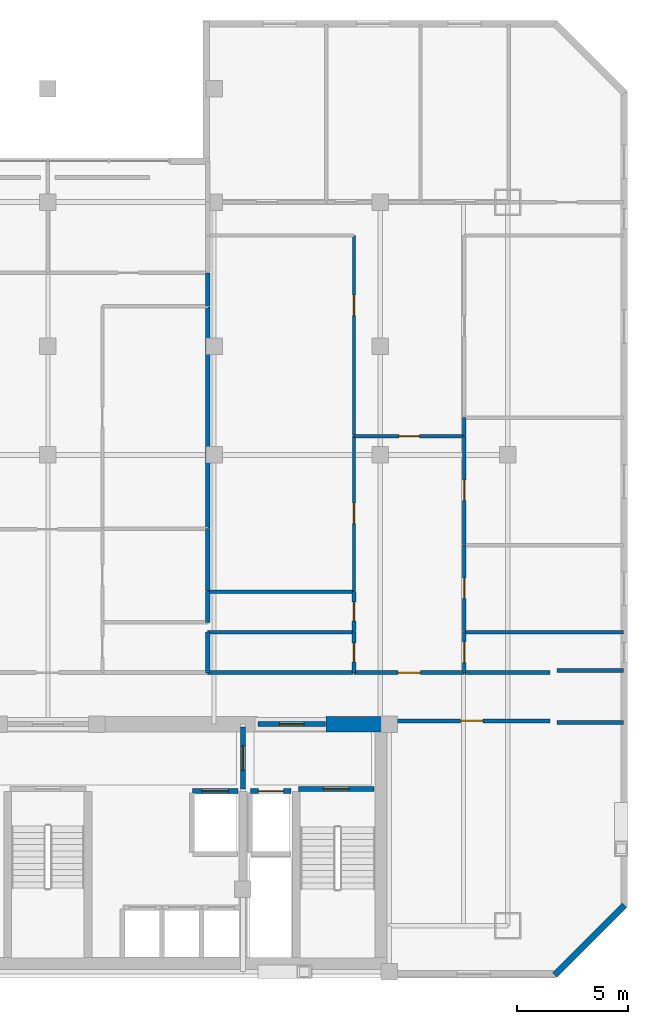
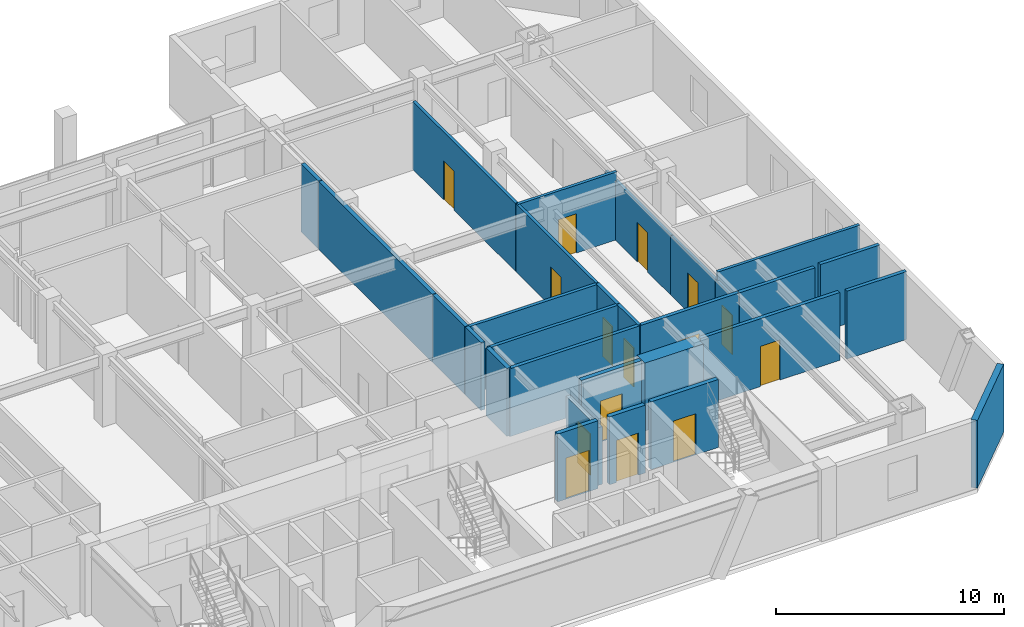
# One storey, part 6 of 9: 30 walls, 15 doors, 15 openings.
"""IFC4 building model written with IfcOpenShell, lengths in metres."""

from ifc_helpers import new_model, si_unit, direction, frame, frame_2d, origin, place, context, subcontext, project, spatial, rectangle, extrude, material, layer, layer_set, type_object, element, fill, save


model = new_model("IFC4")

# Units and contexts
model_context = context("Model", 3, precision=1e-05, world=origin(), true_north=direction((0.0, 1.0)))
body_context = subcontext(model_context, "Body", "Model", "MODEL_VIEW")
ifc_project = project(units=[si_unit("LENGTHUNIT", "METRE"), si_unit("AREAUNIT", "SQUARE_METRE"), si_unit("VOLUMEUNIT", "CUBIC_METRE"), si_unit("PLANEANGLEUNIT", "RADIAN"), si_unit("MASSUNIT", "GRAM", prefix="KILO")], contexts=[model_context])

# Site, building, storey
site_placement = place(None, origin())
site = spatial("IfcSite", under=ifc_project, at=site_placement, CompositionType="ELEMENT")
building_placement = place(site_placement, origin())
building = spatial("IfcBuilding", under=site, at=building_placement, Name="Ventersveld Concourse Tower", CompositionType="ELEMENT")
storey_placement = place(building_placement, frame((0.0, 0.0, 145.199951171875)))
storey = spatial("IfcBuildingStorey", under=building, at=storey_placement, Name="L35", CompositionType="ELEMENT", Elevation=145.199951171875)

# Wall
ifc_material_1 = material(Name="Concrete C60/75", Category="concrete")
ifc_layer_1 = layer(ifc_material_1, 0.699951171875)
ifc_layer_set_1 = layer_set([ifc_layer_1], Name="Concrete C60/75")
wall_type_1 = type_object("IfcWallType", Name="WL-CORE-700", PredefinedType="SHEAR", material=ifc_layer_set_1)
wall_1_placement = place(storey_placement, frame((41.300048828125, 11.449951171875, 0.0), z_axis=(0.0, 0.0, 1.0), x_axis=(1.0, 0.0, 0.0)))
element("IfcWall", 1, at=wall_1_placement, inside=storey, type_object=wall_type_1, Name="L35 Rear Core North Shear Wall NE", PredefinedType="SHEAR", context=body_context, shape_type="SweptSolid", body=[
    extrude(rectangle(XDim=2.949951171875, YDim=0.699951171875, at=frame_2d((1.47509765625, 0.0))), origin(), (0.0, 0.0, 1.0), 3.630126953125),
])

# Wall, opening, door
ifc_material_2 = material(Name="Fire-rated autoclaved aerated masonry blockwork", Category="masonry")
ifc_layer_2 = layer(ifc_material_2, 0.179931640625)
ifc_layer_set_2 = layer_set([ifc_layer_2], Name="Fire-rated autoclaved aerated masonry blockwork")
wall_type_2 = type_object("IfcWallType", Name="WL-CORR-180", PredefinedType="PARTITIONING", material=ifc_layer_set_2)
wall_2_placement = place(storey_placement, frame((44.35498046875, 11.60009765625, 0.0), z_axis=(0.0, 0.0, 1.0), x_axis=(1.0, 0.0, 0.0)))
wall_2 = element("IfcWall", 2, at=wall_2_placement, inside=storey, type_object=wall_type_2, Name="L35 Interior Partition SP-L35-SE-OFF-SP-L35-COR", PredefinedType="PARTITIONING", context=body_context, shape_type="SweptSolid", body=[
    extrude(rectangle(XDim=7.0400390625, YDim=0.179931640625, at=frame_2d((3.52001953125, 0.0))), origin(), (0.0, 0.0, 1.0), 3.630126953125),
])
opening_1_placement = place(wall_2_placement, frame((3.02001953125, 0.0, 0.0)))
opening_1 = element("IfcOpeningElement", 3, at=opening_1_placement, cuts=wall_2, Name="Opening FD3", PredefinedType="OPENING", context=body_context, shape_type="SweptSolid", body=[
    extrude(rectangle(XDim=1.0, YDim=2.14990234375, at=frame_2d((0.5, 1.074951171875))), frame((0.0, 0.10009765625, 0.0), z_axis=(0.0, -1.0, 0.0), x_axis=(1.0, 0.0, 0.0)), (0.0, 0.0, 1.0), 0.199951171875),
])
ifc_material_3 = material(Name="Solid-core hardwood veneer timber", Category="wood")
door_type_1 = type_object("IfcDoorType", Name="DR-FLAT-100", OperationType="NOTDEFINED", PredefinedType="DOOR", material=ifc_material_3)
door_1_placement = place(opening_1_placement, origin())
door_1 = element("IfcDoor", 4, at=door_1_placement, inside=storey, type_object=door_type_1, Name="L35 Interior Door SP-L35-SE-OFF to SP-L35-COR (D-L35-1709)", OperationType="SINGLE_SWING_LEFT", OverallHeight=2.14990234375, OverallWidth=1.0, PredefinedType="DOOR", context=body_context, shape_type="SweptSolid", body=[
    extrude(rectangle(XDim=1.0, YDim=2.14990234375, at=frame_2d((0.5, 1.074951171875))), frame((0.0, 0.02490234375, 0.0), z_axis=(0.0, -1.0, 0.0), x_axis=(1.0, 0.0, 0.0)), (0.0, 0.0, 1.0), 0.050048828125),
])
fill(opening_1, door_1)

wall_3_placement = place(storey_placement, frame((42.557373046875, 13.77001953125, 0.0), z_axis=(0.0, 0.0, 1.0), x_axis=(1.0, 0.0, 0.0)))
wall_3 = element("IfcWall", 5, at=wall_3_placement, inside=storey, type_object=wall_type_2, Name="L35 Interior Partition SP-L35-COR-SP-L35-35CE-FOY", PredefinedType="PARTITIONING", context=body_context, shape_type="SweptSolid", body=[
    extrude(rectangle(XDim=4.989990234375, YDim=0.179931640625, at=frame_2d((2.4951171875, 0.0))), origin(), (0.0, 0.0, 1.0), 3.630126953125),
])
opening_2_placement = place(wall_3_placement, frame((1.9951171875, 0.0, 0.0)))
opening_2 = element("IfcOpeningElement", 6, at=opening_2_placement, cuts=wall_3, Name="Opening FD3", PredefinedType="OPENING", context=body_context, shape_type="SweptSolid", body=[
    extrude(rectangle(XDim=1.0, YDim=2.14990234375, at=frame_2d((0.5, 1.074951171875))), frame((0.0, 0.10009765625, 0.0), z_axis=(0.0, -1.0, 0.0), x_axis=(1.0, 0.0, 0.0)), (0.0, 0.0, 1.0), 0.199951171875),
])
door_2_placement = place(opening_2_placement, origin())
door_2 = element("IfcDoor", 7, at=door_2_placement, inside=storey, type_object=door_type_1, Name="L35 Interior Door SP-L35-COR to SP-L35-35CE-FOY (FD-L35-1711)", OperationType="SINGLE_SWING_LEFT", OverallHeight=2.14990234375, OverallWidth=1.0, PredefinedType="DOOR", context=body_context, shape_type="SweptSolid", body=[
    extrude(rectangle(XDim=1.0, YDim=2.14990234375, at=frame_2d((0.5, 1.074951171875))), frame((0.0, 0.02490234375, 0.0), z_axis=(0.0, -1.0, 0.0), x_axis=(1.0, 0.0, 0.0)), (0.0, 0.0, 1.0), 0.050048828125),
])
fill(opening_2, door_2)

# Walls
wall_4_placement = place(storey_placement, frame((35.955078125, 13.77001953125, 0.0), z_axis=(0.0, 0.0, 1.0), x_axis=(1.0, 0.0, 0.0)))
element("IfcWall", 8, at=wall_4_placement, inside=storey, type_object=wall_type_2, Name="L35 Interior Partition SP-L35-COR-SP-L35-35CE-BATH", PredefinedType="PARTITIONING", context=body_context, shape_type="SweptSolid", body=[
    extrude(rectangle(XDim=6.572265625, YDim=0.179931640625, at=frame_2d((3.2861328125, 0.0))), origin(), (0.0, 0.0, 1.0), 3.630126953125),
])
wall_5_placement = place(storey_placement, frame((47.577392578125, 13.77001953125, 0.0), z_axis=(0.0, 0.0, 1.0), x_axis=(1.0, 0.0, 0.0)))
element("IfcWall", 9, at=wall_5_placement, inside=storey, type_object=wall_type_2, Name="L35 Interior Partition SP-L35-COR-SP-L35-35CE-KIT", PredefinedType="PARTITIONING", context=body_context, shape_type="SweptSolid", body=[
    extrude(rectangle(XDim=3.817626953125, YDim=0.179931640625, at=frame_2d((1.90869140625, 0.0))), origin(), (0.0, 0.0, 1.0), 3.630126953125),
])
wall_6_placement = place(storey_placement, frame((51.712158203125, 11.52001953125, 0.0), z_axis=(0.0, 0.0, 1.0), x_axis=(1.0, 0.0, 0.0)))
element("IfcWall", 10, at=wall_6_placement, inside=storey, type_object=wall_type_2, Name="L35 Room Enclosure Wall SP-L35-SE-OFF", PredefinedType="PARTITIONING", context=body_context, shape_type="SweptSolid", body=[
    extrude(rectangle(XDim=3.015380859375, YDim=0.179931640625, at=frame_2d((1.5078125, 0.0))), origin(), (0.0, 0.0, 1.0), 3.630126953125),
])
wall_7_placement = place(storey_placement, frame((54.7275390625, 13.860107421875, 0.0), z_axis=(0.0, 0.0, 1.0), x_axis=(-1.0, 0.0, 0.0)))
element("IfcWall", 11, at=wall_7_placement, inside=storey, type_object=wall_type_2, Name="L35 Room Enclosure Wall SP-L35-35CE-KIT", PredefinedType="PARTITIONING", context=body_context, shape_type="SweptSolid", body=[
    extrude(rectangle(XDim=3.017578125, YDim=0.179931640625, at=frame_2d((1.5087890625, 0.0))), origin(), (0.0, 0.0, 1.0), 3.630126953125),
])
ifc_layer_3 = layer(ifc_material_2, 0.199951171875)
ifc_layer_set_3 = layer_set([ifc_layer_3], Name="Fire-rated autoclaved aerated masonry blockwork")
wall_type_3 = type_object("IfcWallType", Name="WL-DEMISE-200", PredefinedType="PARTITIONING", material=ifc_layer_set_3)
wall_8_placement = place(storey_placement, frame((35.9599609375, 13.764892578125, 0.0), z_axis=(0.0, 0.0, 1.0), x_axis=(0.0, 1.0, 0.0)))
element("IfcWall", 12, at=wall_8_placement, inside=storey, type_object=wall_type_3, Name="L35 Interior Partition SP-L35-35CE-BATH-SP-L35-35CM-KIT", PredefinedType="PARTITIONING", context=body_context, shape_type="SweptSolid", body=[
    extrude(rectangle(XDim=1.840087890625, YDim=0.199951171875, at=frame_2d((0.919921875, 0.0))), origin(), (0.0, 0.0, 1.0), 3.630126953125),
])
wall_9_placement = place(storey_placement, frame((35.9599609375, 16.0458984375, 0.0), z_axis=(0.0, 0.0, 1.0), x_axis=(0.0, 1.0, 0.0)))
element("IfcWall", 13, at=wall_9_placement, inside=storey, type_object=wall_type_3, Name="L35 Interior Partition SP-L35-35CE-PWDL2-SP-L35-35CM-SEMR1", PredefinedType="PARTITIONING", context=body_context, shape_type="SweptSolid", body=[
    extrude(rectangle(XDim=1.38916015625, YDim=0.199951171875, at=frame_2d((0.694580078125, 0.0))), origin(), (0.0, 0.0, 1.0), 3.630126953125),
])
wall_10_placement = place(storey_placement, frame((35.9599609375, 30.304931640625, 0.0), z_axis=(0.0, 0.0, 1.0), x_axis=(0.0, 1.0, 0.0)))
element("IfcWall", 14, at=wall_10_placement, inside=storey, type_object=wall_type_3, Name="L35 Interior Partition SP-L35-35CE-OFFL0-SP-L35-35CM-LIV", PredefinedType="PARTITIONING", context=body_context, shape_type="SweptSolid", body=[
    extrude(rectangle(XDim=1.510009765625, YDim=0.199951171875, at=frame_2d((0.7548828125, 0.0))), origin(), (0.0, 0.0, 1.0), 3.630126953125),
])
wall_11_placement = place(storey_placement, frame((35.9599609375, 17.465087890625, 0.0), z_axis=(0.0, 0.0, 1.0), x_axis=(0.0, 1.0, 0.0)))
element("IfcWall", 15, at=wall_11_placement, inside=storey, type_object=wall_type_3, Name="L35 Interior Partition SP-L35-35CE-OFFL0-SP-L35-35CM-SEMR1", PredefinedType="PARTITIONING", context=body_context, shape_type="SweptSolid", body=[
    extrude(rectangle(XDim=2.8125, YDim=0.199951171875, at=frame_2d((1.40625, 0.0))), origin(), (0.0, 0.0, 1.0), 3.630126953125),
])
wall_12_placement = place(storey_placement, frame((35.9599609375, 20.3076171875, 0.0), z_axis=(0.0, 0.0, 1.0), x_axis=(0.0, 1.0, 0.0)))
element("IfcWall", 16, at=wall_12_placement, inside=storey, type_object=wall_type_3, Name="L35 Interior Partition SP-L35-35CE-OFFL0-SP-L35-35CM-DENS", PredefinedType="PARTITIONING", context=body_context, shape_type="SweptSolid", body=[
    extrude(rectangle(XDim=9.96728515625, YDim=0.199951171875, at=frame_2d((4.983642578125, 0.0))), origin(), (0.0, 0.0, 1.0), 3.630126953125),
])

# Wall, opening, door
ifc_layer_4 = layer(ifc_material_2, 0.219970703125)
ifc_layer_set_4 = layer_set([ifc_layer_4], Name="Fire-rated autoclaved aerated masonry blockwork")
wall_type_4 = type_object("IfcWallType", Name="WL-HOIST-220", PredefinedType="SOLIDWALL", material=ifc_layer_set_4)
wall_13_placement = place(storey_placement, frame((37.89990234375, 8.429931640625, 0.0), z_axis=(0.0, 0.0, 1.0), x_axis=(1.0, 0.0, 0.0)))
wall_13 = element("IfcWall", 17, at=wall_13_placement, inside=storey, type_object=wall_type_4, Name="L35 Lift Hoistway Front Wall FFL-02", PredefinedType="SOLIDWALL", context=body_context, shape_type="SweptSolid", body=[
    extrude(rectangle(XDim=1.820068359375, YDim=0.219970703125, at=frame_2d((0.91015625, 0.0))), origin(), (0.0, 0.0, 1.0), 3.630126953125),
])
opening_3_placement = place(wall_13_placement, frame((0.35009765625, 0.0, 0.0)))
opening_3 = element("IfcOpeningElement", 18, at=opening_3_placement, cuts=wall_13, Name="Opening LD1", PredefinedType="OPENING", context=body_context, shape_type="SweptSolid", body=[
    extrude(rectangle(XDim=1.1201171875, YDim=2.25, at=frame_2d((0.56005859375, 1.125))), frame((0.0, 0.1201171875, 0.0), z_axis=(0.0, -1.0, 0.0), x_axis=(1.0, 0.0, 0.0)), (0.0, 0.0, 1.0), 0.239990234375),
])
ifc_material_4 = material(Name="Brushed stainless steel 316", Category="steel")
door_type_2 = type_object("IfcDoorType", Name="LD-FF-112", OperationType="SLIDING_TO_LEFT", PredefinedType="DOOR", material=ifc_material_4)
door_3_placement = place(opening_3_placement, origin())
door_3 = element("IfcDoor", 19, at=door_3_placement, inside=storey, type_object=door_type_2, Name="L35 Lift landing door FFL-02 (LD-L35-FFL-02)", OperationType="SLIDING_TO_RIGHT", OverallHeight=2.25, OverallWidth=1.1201171875, PredefinedType="DOOR", context=body_context, shape_type="SweptSolid", body=[
    extrude(rectangle(XDim=1.1201171875, YDim=2.25, at=frame_2d((0.56005859375, 1.125))), frame((0.0, 0.02490234375, 0.0), z_axis=(0.0, -1.0, 0.0), x_axis=(1.0, 0.0, 0.0)), (0.0, 0.0, 1.0), 0.050048828125),
])
fill(opening_3, door_3)

wall_14_placement = place(storey_placement, frame((35.280029296875, 8.429931640625, 0.0), z_axis=(0.0, 0.0, 1.0), x_axis=(1.0, 0.0, 0.0)))
wall_14 = element("IfcWall", 20, at=wall_14_placement, inside=storey, type_object=wall_type_4, Name="L35 Lift Hoistway Front Wall SVL-01", PredefinedType="SOLIDWALL", context=body_context, shape_type="SweptSolid", body=[
    extrude(rectangle(XDim=2.0400390625, YDim=0.219970703125, at=frame_2d((1.02001953125, 0.0))), origin(), (0.0, 0.0, 1.0), 3.630126953125),
])
opening_4_placement = place(wall_14_placement, frame((0.429931640625, 0.0, 0.0)))
opening_4 = element("IfcOpeningElement", 21, at=opening_4_placement, cuts=wall_14, Name="Opening LD2", PredefinedType="OPENING", context=body_context, shape_type="SweptSolid", body=[
    extrude(rectangle(XDim=1.179931640625, YDim=2.199951171875, at=frame_2d((0.58984375, 1.10009765625))), frame((0.0, 0.1201171875, 0.0), z_axis=(0.0, -1.0, 0.0), x_axis=(1.0, 0.0, 0.0)), (0.0, 0.0, 1.0), 0.239990234375),
])
door_type_3 = type_object("IfcDoorType", Name="LD-PAX-118", OperationType="SLIDING_TO_LEFT", PredefinedType="DOOR", material=ifc_material_4)
door_4_placement = place(opening_4_placement, origin())
door_4 = element("IfcDoor", 22, at=door_4_placement, inside=storey, type_object=door_type_3, Name="L35 Lift landing door SVL-01 (LD-L35-SVL-01)", OperationType="SLIDING_TO_LEFT", OverallHeight=2.199951171875, OverallWidth=1.179931640625, PredefinedType="DOOR", context=body_context, shape_type="SweptSolid", body=[
    extrude(rectangle(XDim=1.179931640625, YDim=2.199951171875, at=frame_2d((0.58984375, 1.10009765625))), frame((0.0, 0.02490234375, 0.0), z_axis=(0.0, -1.0, 0.0), x_axis=(1.0, 0.0, 0.0)), (0.0, 0.0, 1.0), 0.050048828125),
])
fill(opening_4, door_4)

wall_15_placement = place(storey_placement, frame((40.06005859375, 8.52001953125, 0.0), z_axis=(0.0, 0.0, 1.0), x_axis=(1.0, 0.0, 0.0)))
wall_15 = element("IfcWall", 23, at=wall_15_placement, inside=storey, type_object=wall_type_4, Name="L35 Escape Stair ST02 Fire Wall", PredefinedType="SOLIDWALL", context=body_context, shape_type="SweptSolid", body=[
    extrude(rectangle(XDim=3.39990234375, YDim=0.219970703125, at=frame_2d((1.699951171875, 0.0))), origin(), (0.0, 0.0, 1.0), 3.630126953125),
])
opening_5_placement = place(wall_15_placement, frame((1.125, 0.0, 0.0)))
opening_5 = element("IfcOpeningElement", 24, at=opening_5_placement, cuts=wall_15, Name="Opening FD1", PredefinedType="OPENING", context=body_context, shape_type="SweptSolid", body=[
    extrude(rectangle(XDim=1.14990234375, YDim=2.199951171875, at=frame_2d((0.574951171875, 1.10009765625))), frame((0.0, 0.1201171875, 0.0), z_axis=(0.0, -1.0, 0.0), x_axis=(1.0, 0.0, 0.0)), (0.0, 0.0, 1.0), 0.239990234375),
])
ifc_material_5 = material(Name="Galvanised painted steel", Category="steel")
door_type_4 = type_object("IfcDoorType", Name="DR-STAIR-115", OperationType="NOTDEFINED", PredefinedType="DOOR", material=ifc_material_5)
door_5_placement = place(opening_5_placement, origin())
door_5 = element("IfcDoor", 25, at=door_5_placement, inside=storey, type_object=door_type_4, Name="L35 Escape Stair Door ST02 (SD-L35-1700)", OperationType="SINGLE_SWING_RIGHT", OverallHeight=2.199951171875, OverallWidth=1.14990234375, PredefinedType="DOOR", context=body_context, shape_type="SweptSolid", body=[
    extrude(rectangle(XDim=1.14990234375, YDim=2.199951171875, at=frame_2d((0.574951171875, 1.10009765625))), frame((0.0, 0.02490234375, 0.0), z_axis=(0.0, -1.0, 0.0), x_axis=(1.0, 0.0, 0.0)), (0.0, 0.0, 1.0), 0.050048828125),
])
fill(opening_5, door_5)

wall_16_placement = place(storey_placement, frame((37.550048828125, 8.52001953125, 0.0), z_axis=(0.0, 0.0, 1.0), x_axis=(0.0, 1.0, 0.0)))
wall_16 = element("IfcWall", 26, at=wall_16_placement, inside=storey, type_object=wall_type_4, Name="L35 Firefighting Lobby Smoke-Stop Wall FFLE-SEP", PredefinedType="SOLIDWALL", context=body_context, shape_type="SweptSolid", body=[
    extrude(rectangle(XDim=2.800048828125, YDim=0.219970703125, at=frame_2d((1.39990234375, 0.0))), origin(), (0.0, 0.0, 1.0), 3.08544921875),
])
opening_6_placement = place(wall_16_placement, frame((0.85009765625, 0.0, 0.0)))
opening_6 = element("IfcOpeningElement", 27, at=opening_6_placement, cuts=wall_16, Name="Opening FD2", PredefinedType="OPENING", context=body_context, shape_type="SweptSolid", body=[
    extrude(rectangle(XDim=1.10009765625, YDim=2.199951171875, at=frame_2d((0.550048828125, 1.10009765625))), frame((0.0, 0.1201171875, 0.0), z_axis=(0.0, -1.0, 0.0), x_axis=(1.0, 0.0, 0.0)), (0.0, 0.0, 1.0), 0.239990234375),
])
door_type_5 = type_object("IfcDoorType", Name="DR-FFL-110", OperationType="NOTDEFINED", PredefinedType="DOOR", material=ifc_material_5)
door_6_placement = place(opening_6_placement, origin())
door_6 = element("IfcDoor", 28, at=door_6_placement, inside=storey, type_object=door_type_5, Name="L35 Firefighting Lobby Door FFLE-SEP (FD-L35-1703)", OperationType="SINGLE_SWING_RIGHT", OverallHeight=2.199951171875, OverallWidth=1.10009765625, PredefinedType="DOOR", context=body_context, shape_type="SweptSolid", body=[
    extrude(rectangle(XDim=1.10009765625, YDim=2.199951171875, at=frame_2d((0.550048828125, 1.10009765625))), frame((0.0, 0.02490234375, 0.0), z_axis=(0.0, -1.0, 0.0), x_axis=(1.0, 0.0, 0.0)), (0.0, 0.0, 1.0), 0.050048828125),
])
fill(opening_6, door_6)

wall_17_placement = place(storey_placement, frame((38.22998046875, 11.449951171875, 0.0), z_axis=(0.0, 0.0, 1.0), x_axis=(1.0, 0.0, 0.0)))
wall_17 = element("IfcWall", 29, at=wall_17_placement, inside=storey, type_object=wall_type_4, Name="L35 Core North Fire Portal FFLE-OUT", PredefinedType="SOLIDWALL", context=body_context, shape_type="SweptSolid", body=[
    extrude(rectangle(XDim=3.0400390625, YDim=0.219970703125, at=frame_2d((1.52001953125, 0.0))), origin(), (0.0, 0.0, 1.0), 3.630126953125),
])
opening_7_placement = place(wall_17_placement, frame((0.969970703125, 0.0, 0.0)))
opening_7 = element("IfcOpeningElement", 30, at=opening_7_placement, cuts=wall_17, Name="Opening FD2", PredefinedType="OPENING", context=body_context, shape_type="SweptSolid", body=[
    extrude(rectangle(XDim=1.10009765625, YDim=2.199951171875, at=frame_2d((0.550048828125, 1.10009765625))), frame((0.0, 0.1201171875, 0.0), z_axis=(0.0, -1.0, 0.0), x_axis=(1.0, 0.0, 0.0)), (0.0, 0.0, 1.0), 0.239990234375),
])
door_7_placement = place(opening_7_placement, origin())
door_7 = element("IfcDoor", 31, at=door_7_placement, inside=storey, type_object=door_type_5, Name="L35 Core Lobby Fire Door FFLE-OUT (FD-L35-1706)", OperationType="SINGLE_SWING_LEFT", OverallHeight=2.199951171875, OverallWidth=1.10009765625, PredefinedType="DOOR", context=body_context, shape_type="SweptSolid", body=[
    extrude(rectangle(XDim=1.10009765625, YDim=2.199951171875, at=frame_2d((0.550048828125, 1.10009765625))), frame((0.0, 0.02490234375, 0.0), z_axis=(0.0, -1.0, 0.0), x_axis=(1.0, 0.0, 0.0)), (0.0, 0.0, 1.0), 0.050048828125),
])
fill(opening_7, door_7)

ifc_material_6 = material(Name="Autoclaved aerated masonry blockwork", Category="masonry")
ifc_layer_5 = layer(ifc_material_6, 0.14990234375)
ifc_layer_set_5 = layer_set([ifc_layer_5], Name="Autoclaved aerated masonry blockwork")
wall_type_5 = type_object("IfcWallType", Name="WL-INT-150", PredefinedType="PARTITIONING", material=ifc_layer_set_5)
wall_18_placement = place(storey_placement, frame((42.557373046875, 24.444091796875, 0.0), z_axis=(0.0, 0.0, 1.0), x_axis=(1.0, 0.0, 0.0)))
wall_18 = element("IfcWall", 32, at=wall_18_placement, inside=storey, type_object=wall_type_5, Name="L35 Interior Partition SP-L35-35CE-FOY-SP-L35-35CE-LIV", PredefinedType="PARTITIONING", context=body_context, shape_type="SweptSolid", body=[
    extrude(rectangle(XDim=4.989990234375, YDim=0.14990234375, at=frame_2d((2.4951171875, 0.0))), origin(), (0.0, 0.0, 1.0), 3.630126953125),
])
opening_8_placement = place(wall_18_placement, frame((2.034912109375, 0.0, 0.0)))
opening_8 = element("IfcOpeningElement", 33, at=opening_8_placement, cuts=wall_18, Name="Opening ID1", PredefinedType="OPENING", context=body_context, shape_type="SweptSolid", body=[
    extrude(rectangle(XDim=0.919921875, YDim=2.10009765625, at=frame_2d((0.4599609375, 1.050048828125))), frame((0.0, 0.0849609375, 0.0), z_axis=(0.0, -1.0, 0.0), x_axis=(1.0, 0.0, 0.0)), (0.0, 0.0, 1.0), 0.169921875),
])
door_type_6 = type_object("IfcDoorType", Name="DR-ROOM-092", OperationType="NOTDEFINED", PredefinedType="DOOR", material=ifc_material_3)
door_8_placement = place(opening_8_placement, origin())
door_8 = element("IfcDoor", 34, at=door_8_placement, inside=storey, type_object=door_type_6, Name="L35 Interior Door SP-L35-35CE-FOY to SP-L35-35CE-LIV (D-L35-1724)", OperationType="SINGLE_SWING_RIGHT", OverallHeight=2.10009765625, OverallWidth=0.919921875, PredefinedType="DOOR", context=body_context, shape_type="SweptSolid", body=[
    extrude(rectangle(XDim=0.919921875, YDim=2.10009765625, at=frame_2d((0.4599609375, 1.050048828125))), frame((0.0, 0.02490234375, 0.0), z_axis=(0.0, -1.0, 0.0), x_axis=(1.0, 0.0, 0.0)), (0.0, 0.0, 1.0), 0.050048828125),
])
fill(opening_8, door_8)

wall_19_placement = place(storey_placement, frame((42.562255859375, 17.465087890625, 0.0), z_axis=(0.0, 0.0, 1.0), x_axis=(0.0, 1.0, 0.0)))
wall_19 = element("IfcWall", 35, at=wall_19_placement, inside=storey, type_object=wall_type_5, Name="L35 Interior Partition SP-L35-35CE-FOY-SP-L35-35CE-OFFL0", PredefinedType="PARTITIONING", context=body_context, shape_type="SweptSolid", body=[
    extrude(rectangle(XDim=6.984130859375, YDim=0.14990234375, at=frame_2d((3.4921875, 0.0))), origin(), (0.0, 0.0, 1.0), 3.630126953125),
])
opening_9_placement = place(wall_19_placement, frame((3.031982421875, 0.0, 0.0)))
opening_9 = element("IfcOpeningElement", 36, at=opening_9_placement, cuts=wall_19, Name="Opening ID1", PredefinedType="OPENING", context=body_context, shape_type="SweptSolid", body=[
    extrude(rectangle(XDim=0.919921875, YDim=2.10009765625, at=frame_2d((0.4599609375, 1.050048828125))), frame((0.0, 0.0849609375, 0.0), z_axis=(0.0, -1.0, 0.0), x_axis=(1.0, 0.0, 0.0)), (0.0, 0.0, 1.0), 0.169921875),
])
door_9_placement = place(opening_9_placement, origin())
door_9 = element("IfcDoor", 37, at=door_9_placement, inside=storey, type_object=door_type_6, Name="L35 Interior Door SP-L35-35CE-FOY to SP-L35-35CE-OFFL0 (D-L35-1727)", OperationType="SINGLE_SWING_LEFT", OverallHeight=2.10009765625, OverallWidth=0.919921875, PredefinedType="DOOR", context=body_context, shape_type="SweptSolid", body=[
    extrude(rectangle(XDim=0.919921875, YDim=2.10009765625, at=frame_2d((0.4599609375, 1.050048828125))), frame((0.0, 0.02490234375, 0.0), z_axis=(0.0, -1.0, 0.0), x_axis=(1.0, 0.0, 0.0)), (0.0, 0.0, 1.0), 0.050048828125),
])
fill(opening_9, door_9)

wall_20_placement = place(storey_placement, frame((47.542236328125, 13.764892578125, 0.0), z_axis=(0.0, 0.0, 1.0), x_axis=(0.0, 1.0, 0.0)))
wall_20 = element("IfcWall", 38, at=wall_20_placement, inside=storey, type_object=wall_type_5, Name="L35 Interior Partition SP-L35-35CE-FOY-SP-L35-35CE-KIT", PredefinedType="PARTITIONING", context=body_context, shape_type="SweptSolid", body=[
    extrude(rectangle(XDim=1.840087890625, YDim=0.14990234375, at=frame_2d((0.919921875, 0.0))), origin(), (0.0, 0.0, 1.0), 3.1767578125),
])
opening_10_placement = place(wall_20_placement, frame((0.4599609375, 0.0, 0.0)))
opening_10 = element("IfcOpeningElement", 39, at=opening_10_placement, cuts=wall_20, Name="Opening ID1", PredefinedType="OPENING", context=body_context, shape_type="SweptSolid", body=[
    extrude(rectangle(XDim=0.919921875, YDim=2.10009765625, at=frame_2d((0.4599609375, 1.050048828125))), frame((0.0, 0.0849609375, 0.0), z_axis=(0.0, -1.0, 0.0), x_axis=(1.0, 0.0, 0.0)), (0.0, 0.0, 1.0), 0.169921875),
])
door_10_placement = place(opening_10_placement, origin())
door_10 = element("IfcDoor", 40, at=door_10_placement, inside=storey, type_object=door_type_6, Name="L35 Interior Door SP-L35-35CE-FOY to SP-L35-35CE-KIT (D-L35-1728)", OperationType="SINGLE_SWING_RIGHT", OverallHeight=2.10009765625, OverallWidth=0.919921875, PredefinedType="DOOR", context=body_context, shape_type="SweptSolid", body=[
    extrude(rectangle(XDim=0.919921875, YDim=2.10009765625, at=frame_2d((0.4599609375, 1.050048828125))), frame((0.0, 0.02490234375, 0.0), z_axis=(0.0, -1.0, 0.0), x_axis=(1.0, 0.0, 0.0)), (0.0, 0.0, 1.0), 0.050048828125),
])
fill(opening_10, door_10)

wall_21_placement = place(storey_placement, frame((47.542236328125, 15.635009765625, 0.0), z_axis=(0.0, 0.0, 1.0), x_axis=(0.0, 1.0, 0.0)))
wall_21 = element("IfcWall", 41, at=wall_21_placement, inside=storey, type_object=wall_type_5, Name="L35 Interior Partition SP-L35-35CE-FOY-SP-L35-35CE-SEMR1", PredefinedType="PARTITIONING", context=body_context, shape_type="SweptSolid", body=[
    extrude(rectangle(XDim=3.886474609375, YDim=0.14990234375, at=frame_2d((1.943359375, 0.0))), origin(), (0.0, 0.0, 1.0), 3.1767578125),
])
opening_11_placement = place(wall_21_placement, frame((1.4833984375, 0.0, 0.0)))
opening_11 = element("IfcOpeningElement", 42, at=opening_11_placement, cuts=wall_21, Name="Opening ID1", PredefinedType="OPENING", context=body_context, shape_type="SweptSolid", body=[
    extrude(rectangle(XDim=0.919921875, YDim=2.10009765625, at=frame_2d((0.4599609375, 1.050048828125))), frame((0.0, 0.0849609375, 0.0), z_axis=(0.0, -1.0, 0.0), x_axis=(1.0, 0.0, 0.0)), (0.0, 0.0, 1.0), 0.169921875),
])
door_11_placement = place(opening_11_placement, origin())
door_11 = element("IfcDoor", 43, at=door_11_placement, inside=storey, type_object=door_type_6, Name="L35 Interior Door SP-L35-35CE-FOY to SP-L35-35CE-SEMR1 (D-L35-1729)", OperationType="SINGLE_SWING_LEFT", OverallHeight=2.10009765625, OverallWidth=0.919921875, PredefinedType="DOOR", context=body_context, shape_type="SweptSolid", body=[
    extrude(rectangle(XDim=0.919921875, YDim=2.10009765625, at=frame_2d((0.4599609375, 1.050048828125))), frame((0.0, 0.02490234375, 0.0), z_axis=(0.0, -1.0, 0.0), x_axis=(1.0, 0.0, 0.0)), (0.0, 0.0, 1.0), 0.050048828125),
])
fill(opening_11, door_11)

wall_22_placement = place(storey_placement, frame((47.542236328125, 19.551513671875, 0.0), z_axis=(0.0, 0.0, 1.0), x_axis=(0.0, 1.0, 0.0)))
wall_22 = element("IfcWall", 44, at=wall_22_placement, inside=storey, type_object=wall_type_5, Name="L35 Interior Partition SP-L35-35CE-FOY-SP-L35-35CE-DENS", PredefinedType="PARTITIONING", context=body_context, shape_type="SweptSolid", body=[
    extrude(rectangle(XDim=4.897705078125, YDim=0.14990234375, at=frame_2d((2.44873046875, 0.0))), origin(), (0.0, 0.0, 1.0), 3.1767578125),
])
opening_12_placement = place(wall_22_placement, frame((1.98876953125, 0.0, 0.0)))
opening_12 = element("IfcOpeningElement", 45, at=opening_12_placement, cuts=wall_22, Name="Opening ID1", PredefinedType="OPENING", context=body_context, shape_type="SweptSolid", body=[
    extrude(rectangle(XDim=0.919921875, YDim=2.10009765625, at=frame_2d((0.4599609375, 1.050048828125))), frame((0.0, 0.0849609375, 0.0), z_axis=(0.0, -1.0, 0.0), x_axis=(1.0, 0.0, 0.0)), (0.0, 0.0, 1.0), 0.169921875),
])
door_12_placement = place(opening_12_placement, origin())
door_12 = element("IfcDoor", 46, at=door_12_placement, inside=storey, type_object=door_type_6, Name="L35 Interior Door SP-L35-35CE-FOY to SP-L35-35CE-DENS (D-L35-1730)", OperationType="SINGLE_SWING_RIGHT", OverallHeight=2.10009765625, OverallWidth=0.919921875, PredefinedType="DOOR", context=body_context, shape_type="SweptSolid", body=[
    extrude(rectangle(XDim=0.919921875, YDim=2.10009765625, at=frame_2d((0.4599609375, 1.050048828125))), frame((0.0, 0.02490234375, 0.0), z_axis=(0.0, -1.0, 0.0), x_axis=(1.0, 0.0, 0.0)), (0.0, 0.0, 1.0), 0.050048828125),
])
fill(opening_12, door_12)

wall_23_placement = place(storey_placement, frame((42.562255859375, 24.47900390625, 0.0), z_axis=(0.0, 0.0, 1.0), x_axis=(0.0, 1.0, 0.0)))
wall_23 = element("IfcWall", 47, at=wall_23_placement, inside=storey, type_object=wall_type_5, Name="L35 Interior Partition SP-L35-35CE-LIV-SP-L35-35CE-OFFL0", PredefinedType="PARTITIONING", context=body_context, shape_type="SweptSolid", body=[
    extrude(rectangle(XDim=9.02587890625, YDim=0.14990234375, at=frame_2d((4.512939453125, 0.0))), origin(), (0.0, 0.0, 1.0), 3.630126953125),
])
opening_13_placement = place(wall_23_placement, frame((5.40673828125, 0.0, 0.0)))
opening_13 = element("IfcOpeningElement", 48, at=opening_13_placement, cuts=wall_23, Name="Opening ID1", PredefinedType="OPENING", context=body_context, shape_type="SweptSolid", body=[
    extrude(rectangle(XDim=0.919921875, YDim=2.10009765625, at=frame_2d((0.4599609375, 1.050048828125))), frame((0.0, 0.0849609375, 0.0), z_axis=(0.0, -1.0, 0.0), x_axis=(1.0, 0.0, 0.0)), (0.0, 0.0, 1.0), 0.169921875),
])
door_13_placement = place(opening_13_placement, origin())
door_13 = element("IfcDoor", 49, at=door_13_placement, inside=storey, type_object=door_type_6, Name="L35 Interior Door SP-L35-35CE-LIV to SP-L35-35CE-OFFL0 (D-L35-1731)", OperationType="SINGLE_SWING_LEFT", OverallHeight=2.10009765625, OverallWidth=0.919921875, PredefinedType="DOOR", context=body_context, shape_type="SweptSolid", body=[
    extrude(rectangle(XDim=0.919921875, YDim=2.10009765625, at=frame_2d((0.4599609375, 1.050048828125))), frame((0.0, 0.02490234375, 0.0), z_axis=(0.0, -1.0, 0.0), x_axis=(1.0, 0.0, 0.0)), (0.0, 0.0, 1.0), 0.050048828125),
])
fill(opening_13, door_13)

# Walls
wall_24_placement = place(storey_placement, frame((47.542236328125, 24.47900390625, 0.0), z_axis=(0.0, 0.0, 1.0), x_axis=(0.0, 1.0, 0.0)))
element("IfcWall", 50, at=wall_24_placement, inside=storey, type_object=wall_type_5, Name="L35 Interior Partition SP-L35-35CE-LIV-SP-L35-35CE-DENS", PredefinedType="PARTITIONING", context=body_context, shape_type="SweptSolid", body=[
    extrude(rectangle(XDim=0.798095703125, YDim=0.14990234375, at=frame_2d((0.39892578125, 0.0))), origin(), (0.0, 0.0, 1.0), 3.1767578125),
])
wall_25_placement = place(storey_placement, frame((47.537353515625, 15.60009765625, 0.0), z_axis=(0.0, 0.0, 1.0), x_axis=(1.0, 0.0, 0.0)))
element("IfcWall", 51, at=wall_25_placement, inside=storey, type_object=wall_type_5, Name="L35 Interior Partition SP-L35-35CE-KIT-SP-L35-35CE-SEMR1", PredefinedType="PARTITIONING", context=body_context, shape_type="SweptSolid", body=[
    extrude(rectangle(XDim=7.190185546875, YDim=0.14990234375, at=frame_2d((3.59521484375, 0.0))), origin(), (0.0, 0.0, 1.0), 3.630126953125),
])
ifc_material_7 = material(Name="Precast concrete C45/55", Category="concrete")
ifc_layer_6 = layer(ifc_material_7, 0.300048828125)
ifc_layer_set_6 = layer_set([ifc_layer_6], Name="Precast concrete C45/55")
wall_type_6 = type_object("IfcWallType", Name="WL-PREC-300", PredefinedType="SOLIDWALL", material=ifc_layer_set_6)
wall_26_placement = place(storey_placement, frame((51.622314453125, 0.134521484375, 0.0), z_axis=(0.0, 0.0, 1.0), x_axis=(0.707106781187, 0.707106781187, 0.0)))
element("IfcWall", 52, at=wall_26_placement, inside=storey, type_object=wall_type_6, Name="L35 Highveld Precast Facade Wall E02", PredefinedType="SOLIDWALL", context=body_context, shape_type="SweptSolid", body=[
    extrude(rectangle(XDim=4.4453125, YDim=0.300048828125, at=frame_2d((2.22265625, 0.0))), origin(), (0.0, 0.0, 1.0), 3.630126953125),
])

# Wall, opening, door
ifc_layer_7 = layer(ifc_material_6, 0.1650390625)
ifc_layer_set_7 = layer_set([ifc_layer_7], Name="Autoclaved aerated masonry blockwork")
wall_type_7 = type_object("IfcWallType", Name="WL-WET-165", PredefinedType="PLUMBINGWALL", material=ifc_layer_set_7)
wall_27_placement = place(storey_placement, frame((42.562255859375, 13.764892578125, 0.0), z_axis=(0.0, 0.0, 1.0), x_axis=(0.0, 1.0, 0.0)))
wall_27 = element("IfcWall", 53, at=wall_27_placement, inside=storey, type_object=wall_type_7, Name="L35 Interior Partition SP-L35-35CE-FOY-SP-L35-35CE-BATH", PredefinedType="PLUMBINGWALL", context=body_context, shape_type="SweptSolid", body=[
    extrude(rectangle(XDim=1.840087890625, YDim=0.1650390625, at=frame_2d((0.919921875, 0.0))), origin(), (0.0, 0.0, 1.0), 3.630126953125),
])
opening_14_placement = place(wall_27_placement, frame((0.4951171875, 0.0, 0.0)))
opening_14 = element("IfcOpeningElement", 54, at=opening_14_placement, cuts=wall_27, Name="Opening ID2", PredefinedType="OPENING", context=body_context, shape_type="SweptSolid", body=[
    extrude(rectangle(XDim=0.85009765625, YDim=2.10009765625, at=frame_2d((0.425048828125, 1.050048828125))), frame((0.0, 0.092529296875, 0.0), z_axis=(0.0, -1.0, 0.0), x_axis=(1.0, 0.0, 0.0)), (0.0, 0.0, 1.0), 0.18505859375),
])
door_type_7 = type_object("IfcDoorType", Name="DR-BATH-085", OperationType="NOTDEFINED", PredefinedType="DOOR", material=ifc_material_3)
door_14_placement = place(opening_14_placement, origin())
door_14 = element("IfcDoor", 55, at=door_14_placement, inside=storey, type_object=door_type_7, Name="L35 Interior Door SP-L35-35CE-FOY to SP-L35-35CE-BATH (D-L35-1725)", OperationType="SINGLE_SWING_LEFT", OverallHeight=2.10009765625, OverallWidth=0.85009765625, PredefinedType="DOOR", context=body_context, shape_type="SweptSolid", body=[
    extrude(rectangle(XDim=0.85009765625, YDim=2.10009765625, at=frame_2d((0.425048828125, 1.050048828125))), frame((0.0, 0.02490234375, 0.0), z_axis=(0.0, -1.0, 0.0), x_axis=(1.0, 0.0, 0.0)), (0.0, 0.0, 1.0), 0.050048828125),
])
fill(opening_14, door_14)

wall_28_placement = place(storey_placement, frame((42.562255859375, 15.635009765625, 0.0), z_axis=(0.0, 0.0, 1.0), x_axis=(0.0, 1.0, 0.0)))
wall_28 = element("IfcWall", 56, at=wall_28_placement, inside=storey, type_object=wall_type_7, Name="L35 Interior Partition SP-L35-35CE-FOY-SP-L35-35CE-PWDL2", PredefinedType="PLUMBINGWALL", context=body_context, shape_type="SweptSolid", body=[
    extrude(rectangle(XDim=1.800048828125, YDim=0.1650390625, at=frame_2d((0.89990234375, 0.0))), origin(), (0.0, 0.0, 1.0), 3.630126953125),
])
opening_15_placement = place(wall_28_placement, frame((0.47509765625, 0.0, 0.0)))
opening_15 = element("IfcOpeningElement", 57, at=opening_15_placement, cuts=wall_28, Name="Opening ID2", PredefinedType="OPENING", context=body_context, shape_type="SweptSolid", body=[
    extrude(rectangle(XDim=0.85009765625, YDim=2.10009765625, at=frame_2d((0.425048828125, 1.050048828125))), frame((0.0, 0.092529296875, 0.0), z_axis=(0.0, -1.0, 0.0), x_axis=(1.0, 0.0, 0.0)), (0.0, 0.0, 1.0), 0.18505859375),
])
door_15_placement = place(opening_15_placement, origin())
door_15 = element("IfcDoor", 58, at=door_15_placement, inside=storey, type_object=door_type_7, Name="L35 Interior Door SP-L35-35CE-FOY to SP-L35-35CE-PWDL2 (D-L35-1726)", OperationType="SINGLE_SWING_RIGHT", OverallHeight=2.10009765625, OverallWidth=0.85009765625, PredefinedType="DOOR", context=body_context, shape_type="SweptSolid", body=[
    extrude(rectangle(XDim=0.85009765625, YDim=2.10009765625, at=frame_2d((0.425048828125, 1.050048828125))), frame((0.0, 0.02490234375, 0.0), z_axis=(0.0, -1.0, 0.0), x_axis=(1.0, 0.0, 0.0)), (0.0, 0.0, 1.0), 0.050048828125),
])
fill(opening_15, door_15)

# Walls
for number, where, z_axis, x_axis, name in (
    (59, (35.955078125, 15.60009765625, 0.0), (0.0, 0.0, 1.0), (1.0, 0.0, 0.0), "L35 Interior Partition SP-L35-35CE-BATH-SP-L35-35CE-PWDL2"),
    (60, (35.955078125, 17.429931640625, 0.0), (0.0, 0.0, 1.0), (1.0, 0.0, 0.0), "L35 Interior Partition SP-L35-35CE-PWDL2-SP-L35-35CE-OFFL0"),
):
    element("IfcWall", number, at=place(storey_placement, frame(where, z_axis=z_axis, x_axis=x_axis)), inside=storey, type_object=wall_type_7, Name=name, PredefinedType="PLUMBINGWALL", context=body_context, shape_type="SweptSolid", body=[
        extrude(rectangle(XDim=6.6123046875, YDim=0.1650390625, at=frame_2d((3.30615234375, 0.0))), origin(), (0.0, 0.0, 1.0), 3.630126953125),
    ])

save(model, "model.ifc")
